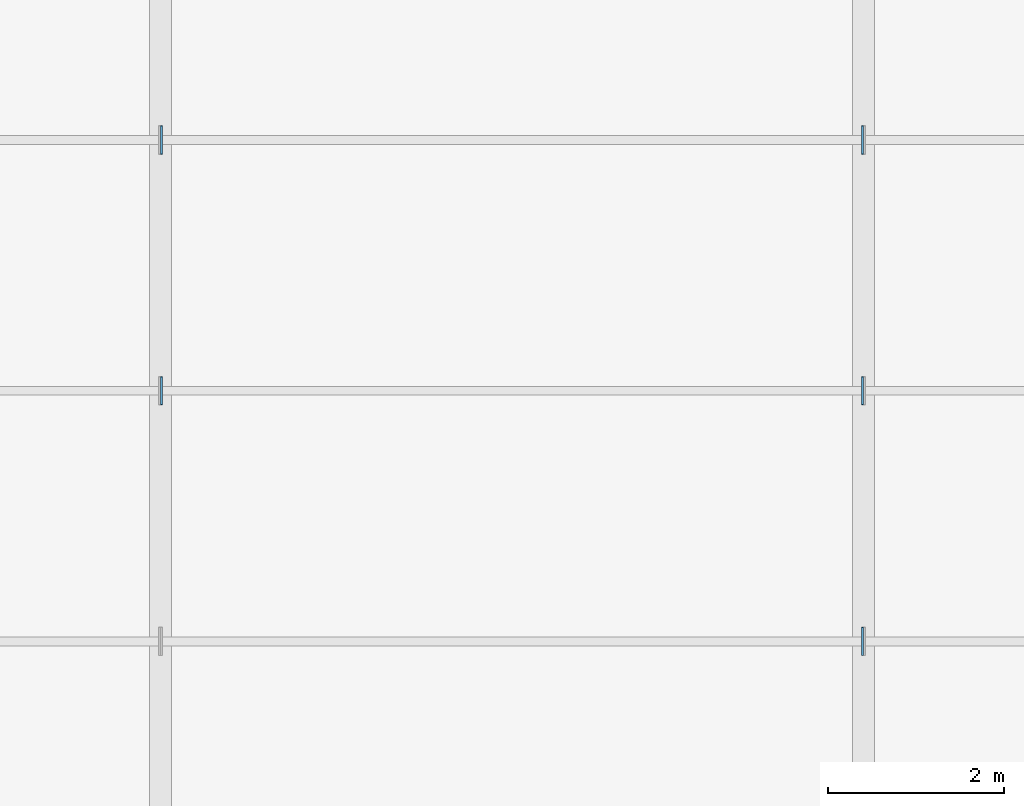
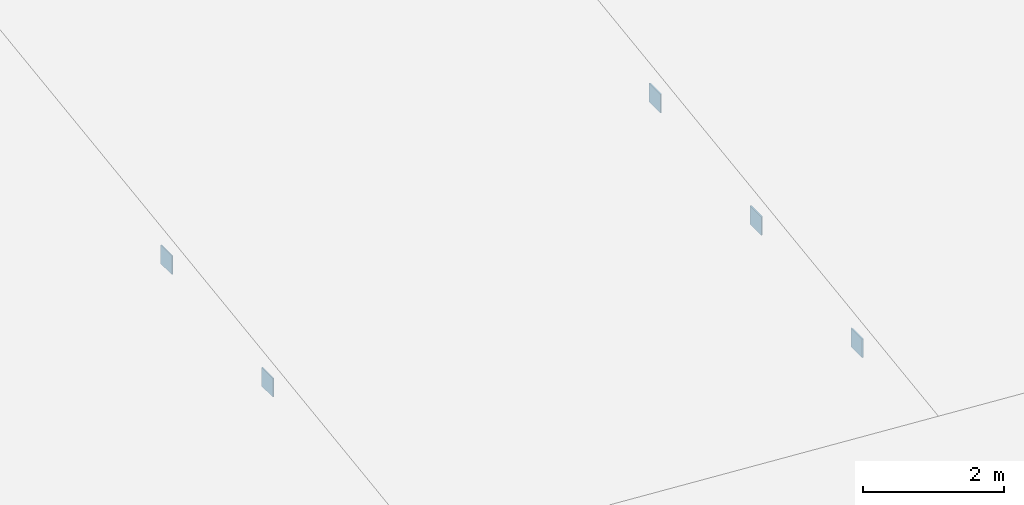
# One storey, part 56 of 77: 5 plates.
"""IFC4 building model written with IfcOpenShell, lengths in metres."""

from ifc_helpers import new_model, si_unit, direction, frame, origin, origin_2d, place, context, subcontext, project, spatial, rectangle, extrude, material, material_profile, profile_set, type_object, element, save


model = new_model("IFC4")

# Units and contexts
model_context = context("Model", 3, precision=1e-05, world=origin(), true_north=direction((0.0, 1.0)))
body_context = subcontext(model_context, "Body", "Model", "MODEL_VIEW")
ifc_project = project(units=[si_unit("LENGTHUNIT", "METRE"), si_unit("AREAUNIT", "SQUARE_METRE"), si_unit("VOLUMEUNIT", "CUBIC_METRE"), si_unit("PLANEANGLEUNIT", "RADIAN"), si_unit("MASSUNIT", "GRAM", prefix="KILO"), si_unit("THERMODYNAMICTEMPERATUREUNIT", "KELVIN"), si_unit("POWERUNIT", "WATT")], contexts=[model_context])

# Site, building, storey
site_placement = place(None, origin())
site = spatial("IfcSite", under=ifc_project, at=site_placement, CompositionType="ELEMENT")
building_placement = place(site_placement, origin())
building = spatial("IfcBuilding", under=site, at=building_placement, Name="Zhenchuan Central Fire Station", CompositionType="ELEMENT")
storey_placement = place(building_placement, frame((0.0, 0.0, 10.050048828125)))
storey = spatial("IfcBuildingStorey", under=building, at=storey_placement, Name="L03", CompositionType="ELEMENT", Elevation=10.050048828125)

# Plates
ifc_material = material(Name="Steel Q355B", Category="steel")
ifc_material_profile = material_profile(ifc_material, rectangle(XDim=0.320068359375, YDim=0.320068359375, at=origin_2d()), Name="PL 320x320x20")
ifc_profile_set = profile_set([ifc_material_profile], Name="Steel Q355B")
plate_type = type_object("IfcPlateType", Name="PL-CAP20", PredefinedType="SHEET", material=ifc_profile_set)
for number, where, z_axis, x_axis, name in (
    (1, (31.98095703125, 25.354248046875, 0.012939453125), (1.0, 0.0, 0.0), (0.0, 1.0, 0.0), "Workshop Sawtooth Purlin 4.1 end cap plate B"),
    (2, (23.9990234375, 28.20849609375, 0.395751953125), (1.0, 0.0, 0.0), (0.0, 1.0, 0.0), "Workshop Sawtooth Purlin 4.2 end cap plate A"),
    (3, (31.98095703125, 28.20849609375, 0.395751953125), (1.0, 0.0, 0.0), (0.0, 1.0, 0.0), "Workshop Sawtooth Purlin 4.2 end cap plate B"),
    (4, (23.9990234375, 31.06298828125, 0.778564453125), (1.0, 0.0, 0.0), (0.0, 1.0, 0.0), "Workshop Sawtooth Purlin 4.3 end cap plate A"),
    (5, (31.98095703125, 31.06298828125, 0.778564453125), (1.0, 0.0, 0.0), (0.0, 1.0, 0.0), "Workshop Sawtooth Purlin 4.3 end cap plate B"),
):
    element("IfcPlate", number, at=place(storey_placement, frame(where, z_axis=z_axis, x_axis=x_axis)), inside=storey, type_object=plate_type, Name=name, PredefinedType="SHEET", context=body_context, shape_type="SweptSolid", body=[
        extrude(rectangle(XDim=0.320068359375, YDim=0.320068359375, at=origin_2d()), origin(), (0.0, 0.0, 1.0), 0.02001953125),
    ])

save(model, "model.ifc")
